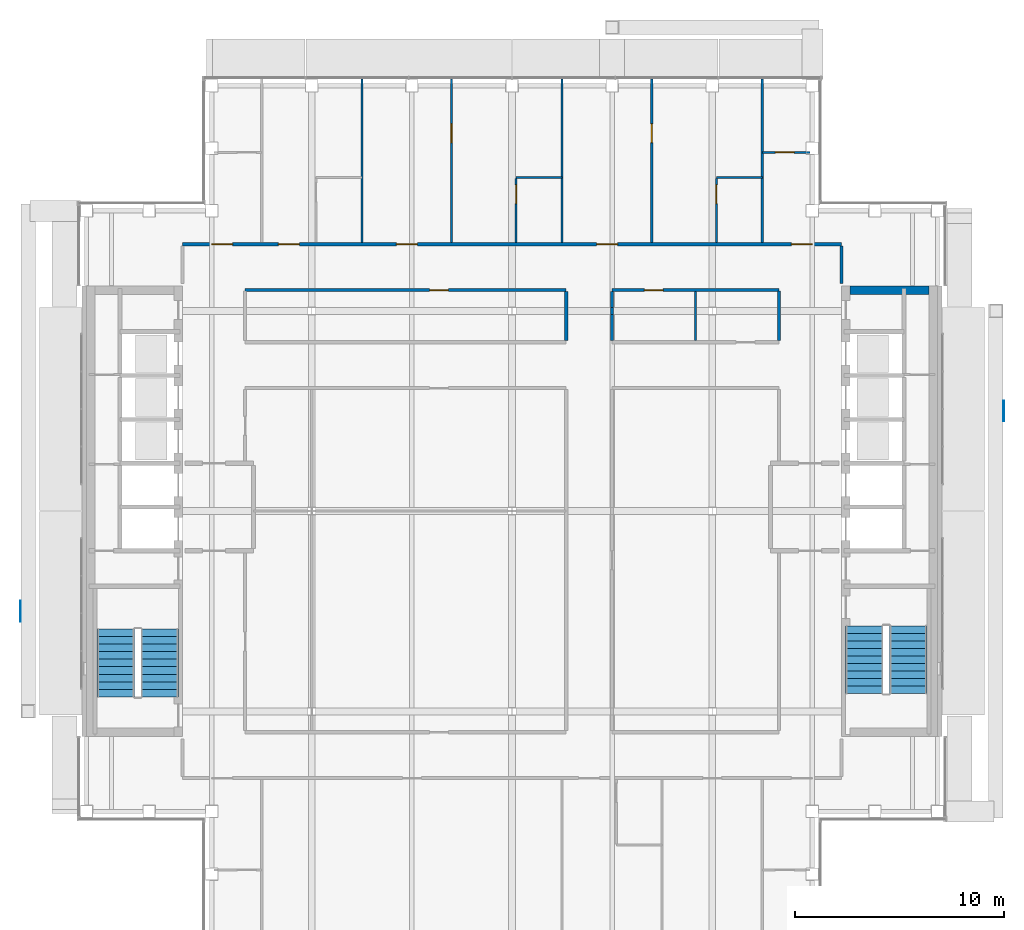
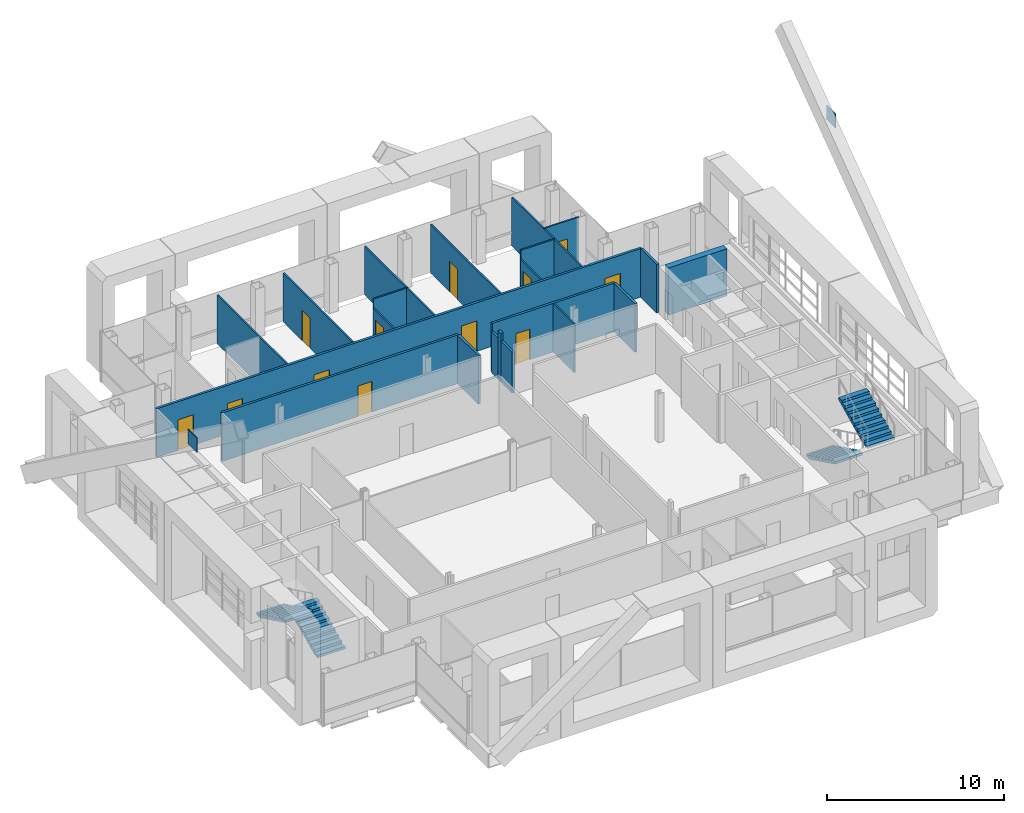
# One storey, part 14 of 23: 21 walls, 12 doors, 4 stair flights, 2 discrete accessories, 12 openings, 2 elements without a shape of their own.
"""IFC4 building model written with IfcOpenShell, lengths in metres."""

from ifc_helpers import new_model, si_unit, direction, frame, frame_2d, origin, origin_2d, place, context, subcontext, project, spatial, polyline, rectangle, outline, extrude, material, layer, layer_set, type_object, element, fill, aggregate, save


model = new_model("IFC4")

# Units and contexts
model_context = context("Model", 3, precision=1e-05, world=origin(), true_north=direction((0.0, 1.0)))
body_context = subcontext(model_context, "Body", "Model", "MODEL_VIEW")
ifc_project = project(units=[si_unit("LENGTHUNIT", "METRE"), si_unit("AREAUNIT", "SQUARE_METRE"), si_unit("VOLUMEUNIT", "CUBIC_METRE"), si_unit("PLANEANGLEUNIT", "RADIAN"), si_unit("MASSUNIT", "GRAM", prefix="KILO")], contexts=[model_context])

# Site, building, storey
site_placement = place(None, origin())
site = spatial("IfcSite", under=ifc_project, at=site_placement, CompositionType="ELEMENT")
building_placement = place(site_placement, origin())
building = spatial("IfcBuilding", under=site, at=building_placement, Name="Cobrizo Arcos Hotel Tower", CompositionType="ELEMENT")
storey_placement = place(building_placement, frame((0.0, 0.0, 255.0)))
storey = spatial("IfcBuildingStorey", under=building, at=storey_placement, Name="L67", CompositionType="ELEMENT", Elevation=255.0)

# Wall, opening, door
ifc_material_1 = material(Name="Gypsum board partition")
ifc_layer_1 = layer(ifc_material_1, 0.14990234375)
ifc_layer_set_1 = layer_set([ifc_layer_1], Name="Corridor wall EI 60 150")
wall_type_1 = type_object("IfcWallType", Name="Corridor wall EI 60 150", PredefinedType="PARTITIONING", material=ifc_layer_set_1)
wall_1_placement = place(storey_placement, frame((-12.800048828125, 10.60009765625, 0.0), z_axis=(0.0, 0.0, 1.0), x_axis=(1.0, 0.0, 0.0)))
wall_1 = element("IfcWall", 1, at=wall_1_placement, inside=storey, type_object=wall_type_1, Name="Partition 038", PredefinedType="PARTITIONING", context=body_context, shape_type="SweptSolid", body=[
    extrude(rectangle(XDim=15.400146484375, YDim=0.14990234375, at=frame_2d((7.7001953125, 0.0))), origin(), (0.0, 0.0, 1.0), 3.35009765625),
])
opening_1_placement = place(wall_1_placement, frame((8.85009765625, 0.0, 0.0)))
opening_1 = element("IfcOpeningElement", 2, at=opening_1_placement, cuts=wall_1, Name="Opening RD-14", PredefinedType="OPENING", context=body_context, shape_type="SweptSolid", body=[
    extrude(rectangle(XDim=0.89990234375, YDim=2.10009765625, at=frame_2d((0.449951171875, 1.050048828125))), frame((0.0, 0.0869140625, 0.0), z_axis=(0.0, -1.0, 0.0), x_axis=(1.0, 0.0, 0.0)), (0.0, 0.0, 1.0), 0.173828125),
])
ifc_material_2 = material(Name="Timber door leaf", Category="wood")
door_type_1 = type_object("IfcDoorType", Name="Room door FD30 900x2100", OperationType="SINGLE_SWING_LEFT", PredefinedType="DOOR", material=ifc_material_2)
door_1_placement = place(opening_1_placement, origin())
door_1 = element("IfcDoor", 3, at=door_1_placement, inside=storey, type_object=door_type_1, Name="Door RD-14", OperationType="SINGLE_SWING_LEFT", OverallHeight=2.10009765625, OverallWidth=0.89990234375, PredefinedType="DOOR", context=body_context, shape_type="SweptSolid", body=[
    extrude(rectangle(XDim=0.89990234375, YDim=2.10009765625, at=frame_2d((0.449951171875, 1.050048828125))), frame((0.0, 0.02490234375, 0.0), z_axis=(0.0, -1.0, 0.0), x_axis=(1.0, 0.0, 0.0)), (0.0, 0.0, 1.0), 0.050048828125),
])
fill(opening_1, door_1)

wall_2_placement = place(storey_placement, frame((4.800048828125, 10.60009765625, 0.0), z_axis=(0.0, 0.0, 1.0), x_axis=(1.0, 0.0, 0.0)))
wall_2 = element("IfcWall", 4, at=wall_2_placement, inside=storey, type_object=wall_type_1, Name="Partition 039", PredefinedType="PARTITIONING", context=body_context, shape_type="SweptSolid", body=[
    extrude(rectangle(XDim=8.0, YDim=0.14990234375, at=frame_2d((4.0, 0.0))), origin(), (0.0, 0.0, 1.0), 3.35009765625),
])
opening_2_placement = place(wall_2_placement, frame((1.550048828125, 0.0, 0.0)))
opening_2 = element("IfcOpeningElement", 5, at=opening_2_placement, cuts=wall_2, Name="Opening ED-10", PredefinedType="OPENING", context=body_context, shape_type="SweptSolid", body=[
    extrude(rectangle(XDim=0.89990234375, YDim=2.10009765625, at=frame_2d((0.449951171875, 1.050048828125))), frame((0.0, 0.0869140625, 0.0), z_axis=(0.0, -1.0, 0.0), x_axis=(1.0, 0.0, 0.0)), (0.0, 0.0, 1.0), 0.173828125),
])
door_type_2 = type_object("IfcDoorType", Name="En-suite door 900x2100", OperationType="SINGLE_SWING_LEFT", PredefinedType="DOOR", material=ifc_material_2)
door_2_placement = place(opening_2_placement, origin())
door_2 = element("IfcDoor", 6, at=door_2_placement, inside=storey, type_object=door_type_2, Name="Door ED-10", OperationType="SINGLE_SWING_LEFT", OverallHeight=2.10009765625, OverallWidth=0.89990234375, PredefinedType="DOOR", context=body_context, shape_type="SweptSolid", body=[
    extrude(rectangle(XDim=0.89990234375, YDim=2.10009765625, at=frame_2d((0.449951171875, 1.050048828125))), frame((0.0, 0.02490234375, 0.0), z_axis=(0.0, -1.0, 0.0), x_axis=(1.0, 0.0, 0.0)), (0.0, 0.0, 1.0), 0.050048828125),
])
fill(opening_2, door_2)

# Wall, openings, doors
wall_3_placement = place(storey_placement, frame((-15.800048828125, 12.800048828125, 0.0), z_axis=(0.0, 0.0, 1.0), x_axis=(1.0, 0.0, 0.0)))
wall_3 = element("IfcWall", 7, at=wall_3_placement, inside=storey, type_object=wall_type_1, Name="Partition 040", PredefinedType="PARTITIONING", context=body_context, shape_type="SweptSolid", body=[
    extrude(rectangle(XDim=31.60009765625, YDim=0.14990234375, at=frame_2d((15.800048828125, 0.0))), origin(), (0.0, 0.0, 1.0), 3.35009765625),
])
opening_3_placement = place(wall_3_placement, frame((4.60009765625, 0.0, 0.0)))
opening_3 = element("IfcOpeningElement", 8, at=opening_3_placement, cuts=wall_3, Name="Opening GD-01", PredefinedType="OPENING", context=body_context, shape_type="SweptSolid", body=[
    extrude(rectangle(XDim=1.0, YDim=2.10009765625, at=frame_2d((0.5, 1.050048828125))), frame((0.0, 0.0869140625, 0.0), z_axis=(0.0, -1.0, 0.0), x_axis=(1.0, 0.0, 0.0)), (0.0, 0.0, 1.0), 0.173828125),
])
opening_4_placement = place(wall_3_placement, frame((10.260009765625, 0.0, 0.0)))
opening_4 = element("IfcOpeningElement", 9, at=opening_4_placement, cuts=wall_3, Name="Opening GD-02", PredefinedType="OPENING", context=body_context, shape_type="SweptSolid", body=[
    extrude(rectangle(XDim=1.0, YDim=2.10009765625, at=frame_2d((0.5, 1.050048828125))), frame((0.0, 0.0869140625, 0.0), z_axis=(0.0, -1.0, 0.0), x_axis=(1.0, 0.0, 0.0)), (0.0, 0.0, 1.0), 0.173828125),
])
opening_5_placement = place(wall_3_placement, frame((19.860107421875, 0.0, 0.0)))
opening_5 = element("IfcOpeningElement", 10, at=opening_5_placement, cuts=wall_3, Name="Opening GD-03", PredefinedType="OPENING", context=body_context, shape_type="SweptSolid", body=[
    extrude(rectangle(XDim=1.0, YDim=2.10009765625, at=frame_2d((0.5, 1.050048828125))), frame((0.0, 0.0869140625, 0.0), z_axis=(0.0, -1.0, 0.0), x_axis=(1.0, 0.0, 0.0)), (0.0, 0.0, 1.0), 0.173828125),
])
opening_6_placement = place(wall_3_placement, frame((1.39990234375, 0.0, 0.0)))
opening_6 = element("IfcOpeningElement", 11, at=opening_6_placement, cuts=wall_3, Name="Opening GD-06", PredefinedType="OPENING", context=body_context, shape_type="SweptSolid", body=[
    extrude(rectangle(XDim=1.0, YDim=2.10009765625, at=frame_2d((0.5, 1.050048828125))), frame((0.0, 0.0869140625, 0.0), z_axis=(0.0, -1.0, 0.0), x_axis=(1.0, 0.0, 0.0)), (0.0, 0.0, 1.0), 0.173828125),
])
opening_7_placement = place(wall_3_placement, frame((29.199951171875, 0.0, 0.0)))
opening_7 = element("IfcOpeningElement", 12, at=opening_7_placement, cuts=wall_3, Name="Opening GD-08", PredefinedType="OPENING", context=body_context, shape_type="SweptSolid", body=[
    extrude(rectangle(XDim=1.0, YDim=2.10009765625, at=frame_2d((0.5, 1.050048828125))), frame((0.0, 0.0869140625, 0.0), z_axis=(0.0, -1.0, 0.0), x_axis=(1.0, 0.0, 0.0)), (0.0, 0.0, 1.0), 0.173828125),
])
door_type_3 = type_object("IfcDoorType", Name="Guest room door FD30S 1000x2100", OperationType="SINGLE_SWING_LEFT", PredefinedType="DOOR", material=ifc_material_2)
door_3_placement = place(opening_3_placement, origin())
door_3 = element("IfcDoor", 13, at=door_3_placement, inside=storey, type_object=door_type_3, Name="Door GD-01", OperationType="SINGLE_SWING_RIGHT", OverallHeight=2.10009765625, OverallWidth=1.0, PredefinedType="DOOR", context=body_context, shape_type="SweptSolid", body=[
    extrude(rectangle(XDim=1.0, YDim=2.10009765625, at=frame_2d((0.5, 1.050048828125))), frame((0.0, 0.02490234375, 0.0), z_axis=(0.0, -1.0, 0.0), x_axis=(1.0, 0.0, 0.0)), (0.0, 0.0, 1.0), 0.050048828125),
])
fill(opening_3, door_3)
door_4_placement = place(opening_4_placement, origin())
door_4 = element("IfcDoor", 14, at=door_4_placement, inside=storey, type_object=door_type_3, Name="Door GD-02", OperationType="SINGLE_SWING_RIGHT", OverallHeight=2.10009765625, OverallWidth=1.0, PredefinedType="DOOR", context=body_context, shape_type="SweptSolid", body=[
    extrude(rectangle(XDim=1.0, YDim=2.10009765625, at=frame_2d((0.5, 1.050048828125))), frame((0.0, 0.02490234375, 0.0), z_axis=(0.0, -1.0, 0.0), x_axis=(1.0, 0.0, 0.0)), (0.0, 0.0, 1.0), 0.050048828125),
])
fill(opening_4, door_4)
door_5_placement = place(opening_5_placement, origin())
door_5 = element("IfcDoor", 15, at=door_5_placement, inside=storey, type_object=door_type_3, Name="Door GD-03", OperationType="SINGLE_SWING_RIGHT", OverallHeight=2.10009765625, OverallWidth=1.0, PredefinedType="DOOR", context=body_context, shape_type="SweptSolid", body=[
    extrude(rectangle(XDim=1.0, YDim=2.10009765625, at=frame_2d((0.5, 1.050048828125))), frame((0.0, 0.02490234375, 0.0), z_axis=(0.0, -1.0, 0.0), x_axis=(1.0, 0.0, 0.0)), (0.0, 0.0, 1.0), 0.050048828125),
])
fill(opening_5, door_5)
door_6_placement = place(opening_6_placement, origin())
door_6 = element("IfcDoor", 16, at=door_6_placement, inside=storey, type_object=door_type_3, Name="Door GD-06", OperationType="SINGLE_SWING_RIGHT", OverallHeight=2.10009765625, OverallWidth=1.0, PredefinedType="DOOR", context=body_context, shape_type="SweptSolid", body=[
    extrude(rectangle(XDim=1.0, YDim=2.10009765625, at=frame_2d((0.5, 1.050048828125))), frame((0.0, 0.02490234375, 0.0), z_axis=(0.0, -1.0, 0.0), x_axis=(1.0, 0.0, 0.0)), (0.0, 0.0, 1.0), 0.050048828125),
])
fill(opening_6, door_6)
door_7_placement = place(opening_7_placement, origin())
door_7 = element("IfcDoor", 17, at=door_7_placement, inside=storey, type_object=door_type_3, Name="Door GD-08", OperationType="SINGLE_SWING_RIGHT", OverallHeight=2.10009765625, OverallWidth=1.0, PredefinedType="DOOR", context=body_context, shape_type="SweptSolid", body=[
    extrude(rectangle(XDim=1.0, YDim=2.10009765625, at=frame_2d((0.5, 1.050048828125))), frame((0.0, 0.02490234375, 0.0), z_axis=(0.0, -1.0, 0.0), x_axis=(1.0, 0.0, 0.0)), (0.0, 0.0, 1.0), 0.050048828125),
])
fill(opening_7, door_7)

# Walls
wall_4_placement = place(storey_placement, frame((2.60009765625, 8.175048828125, 0.0), z_axis=(0.0, 0.0, 1.0), x_axis=(0.0, 1.0, 0.0)))
element("IfcWall", 18, at=wall_4_placement, inside=storey, type_object=wall_type_1, Name="Partition 069", PredefinedType="PARTITIONING", context=body_context, shape_type="SweptSolid", body=[
    extrude(rectangle(XDim=2.349853515625, YDim=0.14990234375, at=frame_2d((1.1748046875, 0.0))), origin(), (0.0, 0.0, 1.0), 3.35009765625),
])
wall_5_placement = place(storey_placement, frame((4.800048828125, 8.175048828125, 0.0), z_axis=(0.0, 0.0, 1.0), x_axis=(0.0, 1.0, 0.0)))
element("IfcWall", 19, at=wall_5_placement, inside=storey, type_object=wall_type_1, Name="Partition 075", PredefinedType="PARTITIONING", context=body_context, shape_type="SweptSolid", body=[
    extrude(rectangle(XDim=1.260986328125, YDim=0.14990234375, at=frame_2d((0.63037109375, 0.0))), origin(), (0.0, 0.0, 1.0), 2.81689453125),
])
wall_6_placement = place(storey_placement, frame((4.800048828125, 9.43603515625, 0.0), z_axis=(0.0, 0.0, 1.0), x_axis=(0.0, 1.0, 0.0)))
element("IfcWall", 20, at=wall_6_placement, inside=storey, type_object=wall_type_1, Name="Partition 076", PredefinedType="PARTITIONING", context=body_context, shape_type="SweptSolid", body=[
    extrude(rectangle(XDim=0.327880859375, YDim=0.14990234375, at=frame_2d((0.1640625, 0.0))), origin(), (0.0, 0.0, 1.0), 3.35009765625),
])
wall_7_placement = place(storey_placement, frame((4.800048828125, 9.763916015625, 0.0), z_axis=(0.0, 0.0, 1.0), x_axis=(0.0, 1.0, 0.0)))
element("IfcWall", 21, at=wall_7_placement, inside=storey, type_object=wall_type_1, Name="Partition 077", PredefinedType="PARTITIONING", context=body_context, shape_type="SweptSolid", body=[
    extrude(rectangle(XDim=0.760986328125, YDim=0.14990234375, at=frame_2d((0.38037109375, 0.0))), origin(), (0.0, 0.0, 1.0), 2.81689453125),
])
wall_8_placement = place(storey_placement, frame((12.800048828125, 8.175048828125, 0.0), z_axis=(0.0, 0.0, 1.0), x_axis=(0.0, 1.0, 0.0)))
element("IfcWall", 22, at=wall_8_placement, inside=storey, type_object=wall_type_1, Name="Partition 088", PredefinedType="PARTITIONING", context=body_context, shape_type="SweptSolid", body=[
    extrude(rectangle(XDim=2.375, YDim=0.14990234375, at=frame_2d((1.1875, 0.0))), origin(), (0.0, 0.0, 1.0), 3.35009765625),
])
wall_9_placement = place(storey_placement, frame((15.800048828125, 10.919921875, 0.0), z_axis=(0.0, 0.0, 1.0), x_axis=(0.0, 1.0, 0.0)))
element("IfcWall", 23, at=wall_9_placement, inside=storey, type_object=wall_type_1, Name="Partition 090", PredefinedType="PARTITIONING", context=body_context, shape_type="SweptSolid", body=[
    extrude(rectangle(XDim=1.80517578125, YDim=0.14990234375, at=frame_2d((0.902587890625, 0.0))), origin(), (0.0, 0.0, 1.0), 3.35009765625),
])
ifc_layer_2 = layer(ifc_material_1, 0.10009765625)
ifc_layer_set_2 = layer_set([ifc_layer_2], Name="Partition EI 30 100")
wall_type_2 = type_object("IfcWallType", Name="Partition EI 30 100", PredefinedType="PARTITIONING", material=ifc_layer_set_2)
for number, where, z_axis, x_axis, name in (
    (24, (0.199951171875, 16.0, 0.0), (0.0, 0.0, 1.0), (1.0, 0.0, 0.0), "Partition 042"),
    (25, (9.800048828125, 16.0, 0.0), (0.0, 0.0, 1.0), (1.0, 0.0, 0.0), "Partition 043"),
):
    element("IfcWall", number, at=place(storey_placement, frame(where, z_axis=z_axis, x_axis=x_axis)), inside=storey, type_object=wall_type_2, Name=name, PredefinedType="PARTITIONING", context=body_context, shape_type="SweptSolid", body=[
        extrude(rectangle(XDim=2.199951171875, YDim=0.10009765625, at=frame_2d((1.10009765625, 0.0))), origin(), (0.0, 0.0, 1.0), 3.35009765625),
    ])

# Wall, opening, door
wall_10_placement = place(storey_placement, frame((12.0, 17.199951171875, 0.0), z_axis=(0.0, 0.0, 1.0), x_axis=(1.0, 0.0, 0.0)))
wall_10 = element("IfcWall", 26, at=wall_10_placement, inside=storey, type_object=wall_type_2, Name="Partition 045", PredefinedType="PARTITIONING", context=body_context, shape_type="SweptSolid", body=[
    extrude(rectangle(XDim=2.280029296875, YDim=0.10009765625, at=frame_2d((1.14013671875, 0.0))), origin(), (0.0, 0.0, 1.0), 3.35009765625),
])
opening_8_placement = place(wall_10_placement, frame((0.6298828125, 0.0, 0.0)))
opening_8 = element("IfcOpeningElement", 27, at=opening_8_placement, cuts=wall_10, Name="Opening ED-09", PredefinedType="OPENING", context=body_context, shape_type="SweptSolid", body=[
    extrude(rectangle(XDim=0.89990234375, YDim=2.10009765625, at=frame_2d((0.449951171875, 1.050048828125))), frame((0.0, 0.06201171875, 0.0), z_axis=(0.0, -1.0, 0.0), x_axis=(1.0, 0.0, 0.0)), (0.0, 0.0, 1.0), 0.1240234375),
])
door_8_placement = place(opening_8_placement, origin())
door_8 = element("IfcDoor", 28, at=door_8_placement, inside=storey, type_object=door_type_2, Name="Door ED-09", OperationType="SINGLE_SWING_LEFT", OverallHeight=2.10009765625, OverallWidth=0.89990234375, PredefinedType="DOOR", context=body_context, shape_type="SweptSolid", body=[
    extrude(rectangle(XDim=0.89990234375, YDim=2.10009765625, at=frame_2d((0.449951171875, 1.050048828125))), frame((0.0, 0.02490234375, 0.0), z_axis=(0.0, -1.0, 0.0), x_axis=(1.0, 0.0, 0.0)), (0.0, 0.0, 1.0), 0.050048828125),
])
fill(opening_8, door_8)

# Wall
wall_11_placement = place(storey_placement, frame((-7.199951171875, 12.875, 0.0), z_axis=(0.0, 0.0, 1.0), x_axis=(0.0, 1.0, 0.0)))
element("IfcWall", 29, at=wall_11_placement, inside=storey, type_object=wall_type_2, Name="Partition 063", PredefinedType="PARTITIONING", context=body_context, shape_type="SweptSolid", body=[
    extrude(rectangle(XDim=7.85498046875, YDim=0.10009765625, at=frame_2d((3.927490234375, 0.0))), origin(), (0.0, 0.0, 1.0), 3.35009765625),
])

# Wall, opening, door
wall_12_placement = place(storey_placement, frame((-2.89990234375, 12.875, 0.0), z_axis=(0.0, 0.0, 1.0), x_axis=(0.0, 1.0, 0.0)))
wall_12 = element("IfcWall", 30, at=wall_12_placement, inside=storey, type_object=wall_type_2, Name="Partition 064", PredefinedType="PARTITIONING", context=body_context, shape_type="SweptSolid", body=[
    extrude(rectangle(XDim=7.85498046875, YDim=0.10009765625, at=frame_2d((3.927490234375, 0.0))), origin(), (0.0, 0.0, 1.0), 3.35009765625),
])
opening_9_placement = place(wall_12_placement, frame((4.794921875, 0.0, 0.0)))
opening_9 = element("IfcOpeningElement", 31, at=opening_9_placement, cuts=wall_12, Name="Opening RD-08", PredefinedType="OPENING", context=body_context, shape_type="SweptSolid", body=[
    extrude(rectangle(XDim=0.89990234375, YDim=2.10009765625, at=frame_2d((0.449951171875, 1.050048828125))), frame((0.0, 0.06201171875, 0.0), z_axis=(0.0, -1.0, 0.0), x_axis=(1.0, 0.0, 0.0)), (0.0, 0.0, 1.0), 0.1240234375),
])
door_9_placement = place(opening_9_placement, origin())
door_9 = element("IfcDoor", 32, at=door_9_placement, inside=storey, type_object=door_type_1, Name="Door RD-08", OperationType="SINGLE_SWING_RIGHT", OverallHeight=2.10009765625, OverallWidth=0.89990234375, PredefinedType="DOOR", context=body_context, shape_type="SweptSolid", body=[
    extrude(rectangle(XDim=0.89990234375, YDim=2.10009765625, at=frame_2d((0.449951171875, 1.050048828125))), frame((0.0, 0.02490234375, 0.0), z_axis=(0.0, -1.0, 0.0), x_axis=(1.0, 0.0, 0.0)), (0.0, 0.0, 1.0), 0.050048828125),
])
fill(opening_9, door_9)

wall_13_placement = place(storey_placement, frame((0.199951171875, 12.875, 0.0), z_axis=(0.0, 0.0, 1.0), x_axis=(0.0, 1.0, 0.0)))
wall_13 = element("IfcWall", 33, at=wall_13_placement, inside=storey, type_object=wall_type_2, Name="Partition 065", PredefinedType="PARTITIONING", context=body_context, shape_type="SweptSolid", body=[
    extrude(rectangle(XDim=3.074951171875, YDim=0.10009765625, at=frame_2d((1.53759765625, 0.0))), origin(), (0.0, 0.0, 1.0), 2.72802734375),
])
opening_10_placement = place(wall_13_placement, frame((1.875, 0.0, 0.0)))
opening_10 = element("IfcOpeningElement", 34, at=opening_10_placement, cuts=wall_13, Name="Opening ED-03", PredefinedType="OPENING", context=body_context, shape_type="SweptSolid", body=[
    extrude(rectangle(XDim=0.89990234375, YDim=2.10009765625, at=frame_2d((0.449951171875, 1.050048828125))), frame((0.0, 0.06201171875, 0.0), z_axis=(0.0, -1.0, 0.0), x_axis=(1.0, 0.0, 0.0)), (0.0, 0.0, 1.0), 0.1240234375),
])
door_10_placement = place(opening_10_placement, origin())
door_10 = element("IfcDoor", 35, at=door_10_placement, inside=storey, type_object=door_type_2, Name="Door ED-03", OperationType="SINGLE_SWING_RIGHT", OverallHeight=2.10009765625, OverallWidth=0.89990234375, PredefinedType="DOOR", context=body_context, shape_type="SweptSolid", body=[
    extrude(rectangle(XDim=0.89990234375, YDim=2.10009765625, at=frame_2d((0.449951171875, 1.050048828125))), frame((0.0, 0.02490234375, 0.0), z_axis=(0.0, -1.0, 0.0), x_axis=(1.0, 0.0, 0.0)), (0.0, 0.0, 1.0), 0.050048828125),
])
fill(opening_10, door_10)

# Wall
wall_14_placement = place(storey_placement, frame((2.39990234375, 12.875, 0.0), z_axis=(0.0, 0.0, 1.0), x_axis=(0.0, 1.0, 0.0)))
element("IfcWall", 36, at=wall_14_placement, inside=storey, type_object=wall_type_2, Name="Partition 067", PredefinedType="PARTITIONING", context=body_context, shape_type="SweptSolid", body=[
    extrude(rectangle(XDim=7.85498046875, YDim=0.10009765625, at=frame_2d((3.927490234375, 0.0))), origin(), (0.0, 0.0, 1.0), 3.35009765625),
])

# Wall, opening, door
wall_15_placement = place(storey_placement, frame((6.699951171875, 12.875, 0.0), z_axis=(0.0, 0.0, 1.0), x_axis=(0.0, 1.0, 0.0)))
wall_15 = element("IfcWall", 37, at=wall_15_placement, inside=storey, type_object=wall_type_2, Name="Partition 079", PredefinedType="PARTITIONING", context=body_context, shape_type="SweptSolid", body=[
    extrude(rectangle(XDim=7.85498046875, YDim=0.10009765625, at=frame_2d((3.927490234375, 0.0))), origin(), (0.0, 0.0, 1.0), 3.35009765625),
])
opening_11_placement = place(wall_15_placement, frame((4.794921875, 0.0, 0.0)))
opening_11 = element("IfcOpeningElement", 38, at=opening_11_placement, cuts=wall_15, Name="Opening RD-09", PredefinedType="OPENING", context=body_context, shape_type="SweptSolid", body=[
    extrude(rectangle(XDim=0.89990234375, YDim=2.10009765625, at=frame_2d((0.449951171875, 1.050048828125))), frame((0.0, 0.06201171875, 0.0), z_axis=(0.0, -1.0, 0.0), x_axis=(1.0, 0.0, 0.0)), (0.0, 0.0, 1.0), 0.1240234375),
])
door_11_placement = place(opening_11_placement, origin())
door_11 = element("IfcDoor", 39, at=door_11_placement, inside=storey, type_object=door_type_1, Name="Door RD-09", OperationType="SINGLE_SWING_RIGHT", OverallHeight=2.10009765625, OverallWidth=0.89990234375, PredefinedType="DOOR", context=body_context, shape_type="SweptSolid", body=[
    extrude(rectangle(XDim=0.89990234375, YDim=2.10009765625, at=frame_2d((0.449951171875, 1.050048828125))), frame((0.0, 0.02490234375, 0.0), z_axis=(0.0, -1.0, 0.0), x_axis=(1.0, 0.0, 0.0)), (0.0, 0.0, 1.0), 0.050048828125),
])
fill(opening_11, door_11)

# Wall
wall_16_placement = place(storey_placement, frame((8.800048828125, 8.175048828125, 0.0), z_axis=(0.0, 0.0, 1.0), x_axis=(0.0, 1.0, 0.0)))
element("IfcWall", 40, at=wall_16_placement, inside=storey, type_object=wall_type_2, Name="Partition 081", PredefinedType="PARTITIONING", context=body_context, shape_type="SweptSolid", body=[
    extrude(rectangle(XDim=2.349853515625, YDim=0.10009765625, at=frame_2d((1.1748046875, 0.0))), origin(), (0.0, 0.0, 1.0), 3.35009765625),
])

# Wall, opening, door
wall_17_placement = place(storey_placement, frame((9.800048828125, 12.875, 0.0), z_axis=(0.0, 0.0, 1.0), x_axis=(0.0, 1.0, 0.0)))
wall_17 = element("IfcWall", 41, at=wall_17_placement, inside=storey, type_object=wall_type_2, Name="Partition 082", PredefinedType="PARTITIONING", context=body_context, shape_type="SweptSolid", body=[
    extrude(rectangle(XDim=3.074951171875, YDim=0.10009765625, at=frame_2d((1.53759765625, 0.0))), origin(), (0.0, 0.0, 1.0), 2.72802734375),
])
opening_12_placement = place(wall_17_placement, frame((1.875, 0.0, 0.0)))
opening_12 = element("IfcOpeningElement", 42, at=opening_12_placement, cuts=wall_17, Name="Opening ED-04", PredefinedType="OPENING", context=body_context, shape_type="SweptSolid", body=[
    extrude(rectangle(XDim=0.89990234375, YDim=2.10009765625, at=frame_2d((0.449951171875, 1.050048828125))), frame((0.0, 0.06201171875, 0.0), z_axis=(0.0, -1.0, 0.0), x_axis=(1.0, 0.0, 0.0)), (0.0, 0.0, 1.0), 0.1240234375),
])
door_12_placement = place(opening_12_placement, origin())
door_12 = element("IfcDoor", 43, at=door_12_placement, inside=storey, type_object=door_type_2, Name="Door ED-04", OperationType="SINGLE_SWING_LEFT", OverallHeight=2.10009765625, OverallWidth=0.89990234375, PredefinedType="DOOR", context=body_context, shape_type="SweptSolid", body=[
    extrude(rectangle(XDim=0.89990234375, YDim=2.10009765625, at=frame_2d((0.449951171875, 1.050048828125))), frame((0.0, 0.02490234375, 0.0), z_axis=(0.0, -1.0, 0.0), x_axis=(1.0, 0.0, 0.0)), (0.0, 0.0, 1.0), 0.050048828125),
])
fill(opening_12, door_12)

# Walls
wall_18_placement = place(storey_placement, frame((12.0, 12.875, 0.0), z_axis=(0.0, 0.0, 1.0), x_axis=(0.0, 1.0, 0.0)))
element("IfcWall", 44, at=wall_18_placement, inside=storey, type_object=wall_type_2, Name="Partition 084", PredefinedType="PARTITIONING", context=body_context, shape_type="SweptSolid", body=[
    extrude(rectangle(XDim=7.85498046875, YDim=0.10009765625, at=frame_2d((3.927490234375, 0.0))), origin(), (0.0, 0.0, 1.0), 3.35009765625),
])
ifc_material_3 = material(Name="Concrete f'c 40 MPa", Category="concrete")
ifc_layer_3 = layer(ifc_material_3, 0.39990234375)
ifc_layer_set_3 = layer_set([ifc_layer_3], Name="RC core wall 400 f'c 40")
wall_type_3 = type_object("IfcWallType", Name="RC core wall 400 f'c 40", PredefinedType="SHEAR", material=ifc_layer_set_3)
wall_19_placement = place(storey_placement, frame((16.199951171875, 10.60009765625, 0.0), z_axis=(0.0, 0.0, 1.0), x_axis=(1.0, 0.0, 0.0)))
element("IfcWall", 45, at=wall_19_placement, inside=storey, type_object=wall_type_3, Name="Core wall CW4, east core, north end, L67", PredefinedType="SHEAR", context=body_context, shape_type="SweptSolid", body=[
    extrude(rectangle(XDim=3.800048828125, YDim=0.39990234375, at=frame_2d((1.89990234375, 0.0))), origin(), (0.0, 0.0, 1.0), 3.25),
])

# Stair, stair flights
stair_type = type_object("IfcStairType", Name="Exit stair", PredefinedType="HALF_TURN_STAIR", material=ifc_material_3)
stair_1_placement = place(storey_placement, origin())
stair_1 = element("IfcStair", 46, at=stair_1_placement, inside=storey, type_object=stair_type, Name="L67 Exit stair ST-W", PredefinedType="HALF_TURN_STAIR")
stair_flight_type = type_object("IfcStairFlightType", Name="Exit stair flight", PredefinedType="STRAIGHT", material=ifc_material_3)
stair_flight_1_placement = place(storey_placement, frame((-16.89990234375, -8.89990234375, 0.0), z_axis=(0.0, 0.0, 1.0), x_axis=(0.0, 1.0, 0.0)))
stair_flight_1 = element("IfcStairFlight", 47, at=stair_flight_1_placement, type_object=stair_flight_type, Name="ST-W flight 1", NumberOfRisers=10, NumberOfTreads=9, PredefinedType="STRAIGHT", RiserHeight=0.175, TreadLength=0.36, context=body_context, shape_type="SweptSolid", body=[
    extrude(outline(polyline([(0.0, 0.0), (0.0, 0.175048828125), (0.360107421875, 0.175048828125), (0.360107421875, 0.35009765625), (0.719970703125, 0.35009765625), (0.719970703125, 0.52490234375), (1.080078125, 0.52490234375), (1.080078125, 0.699951171875), (1.43994140625, 0.699951171875), (1.43994140625, 0.875), (1.800048828125, 0.875), (1.800048828125, 1.050048828125), (2.159912109375, 1.050048828125), (2.159912109375, 1.22509765625), (2.52001953125, 1.22509765625), (2.52001953125, 1.39990234375), (2.8798828125, 1.39990234375), (2.8798828125, 1.574951171875), (3.239990234375, 1.574951171875), (3.239990234375, 1.75), (3.239990234375, 1.408203125), (0.3427734375, 0.0), (0.0, 0.0)])), frame((0.0, 0.89990234375, 0.0), z_axis=(0.0, -1.0, 0.0), x_axis=(1.0, 0.0, 0.0)), (0.0, 0.0, 1.0), 1.800048828125),
])
stair_flight_2_placement = place(storey_placement, frame((-19.0, -5.659912109375, 1.75), z_axis=(0.0, 0.0, 1.0), x_axis=(0.0, -1.0, 0.0)))
stair_flight_2 = element("IfcStairFlight", 48, at=stair_flight_2_placement, type_object=stair_flight_type, Name="ST-W flight 2", NumberOfRisers=10, NumberOfTreads=9, PredefinedType="STRAIGHT", RiserHeight=0.175, TreadLength=0.36, context=body_context, shape_type="SweptSolid", body=[
    extrude(outline(polyline([(0.0, 0.0), (0.0, 0.175048828125), (0.360107421875, 0.175048828125), (0.360107421875, 0.35009765625), (0.719970703125, 0.35009765625), (0.719970703125, 0.52490234375), (1.080078125, 0.52490234375), (1.080078125, 0.699951171875), (1.43994140625, 0.699951171875), (1.43994140625, 0.875), (1.800048828125, 0.875), (1.800048828125, 1.050048828125), (2.159912109375, 1.050048828125), (2.159912109375, 1.22509765625), (2.52001953125, 1.22509765625), (2.52001953125, 1.39990234375), (2.8798828125, 1.39990234375), (2.8798828125, 1.574951171875), (3.239990234375, 1.574951171875), (3.239990234375, 1.75), (3.239990234375, 1.408203125), (0.3427734375, 0.0), (0.0, 0.0)])), frame((0.0, 0.89990234375, 0.0), z_axis=(0.0, -1.0, 0.0), x_axis=(1.0, 0.0, 0.0)), (0.0, 0.0, 1.0), 1.800048828125),
])
aggregate(stair_1, [stair_flight_1, stair_flight_2])

stair_2_placement = place(storey_placement, origin())
stair_2 = element("IfcStair", 49, at=stair_2_placement, inside=storey, type_object=stair_type, Name="L67 Exit stair ST-E", PredefinedType="HALF_TURN_STAIR")
stair_flight_3_placement = place(storey_placement, frame((16.89990234375, -5.5, 0.0), z_axis=(0.0, 0.0, 1.0), x_axis=(0.0, -1.0, 0.0)))
stair_flight_3 = element("IfcStairFlight", 50, at=stair_flight_3_placement, type_object=stair_flight_type, Name="ST-E flight 1", NumberOfRisers=10, NumberOfTreads=9, PredefinedType="STRAIGHT", RiserHeight=0.175, TreadLength=0.36, context=body_context, shape_type="SweptSolid", body=[
    extrude(outline(polyline([(0.0, 0.0), (0.0, 0.175048828125), (0.360107421875, 0.175048828125), (0.360107421875, 0.35009765625), (0.719970703125, 0.35009765625), (0.719970703125, 0.52490234375), (1.080078125, 0.52490234375), (1.080078125, 0.699951171875), (1.43994140625, 0.699951171875), (1.43994140625, 0.875), (1.800048828125, 0.875), (1.800048828125, 1.050048828125), (2.159912109375, 1.050048828125), (2.159912109375, 1.22509765625), (2.52001953125, 1.22509765625), (2.52001953125, 1.39990234375), (2.8798828125, 1.39990234375), (2.8798828125, 1.574951171875), (3.239990234375, 1.574951171875), (3.239990234375, 1.75), (3.239990234375, 1.408203125), (0.3427734375, 0.0), (0.0, 0.0)])), frame((0.0, 0.89990234375, 0.0), z_axis=(0.0, -1.0, 0.0), x_axis=(1.0, 0.0, 0.0)), (0.0, 0.0, 1.0), 1.800048828125),
])
stair_flight_4_placement = place(storey_placement, frame((19.0, -8.739990234375, 1.75), z_axis=(0.0, 0.0, 1.0), x_axis=(0.0, 1.0, 0.0)))
stair_flight_4 = element("IfcStairFlight", 51, at=stair_flight_4_placement, type_object=stair_flight_type, Name="ST-E flight 2", NumberOfRisers=10, NumberOfTreads=9, PredefinedType="STRAIGHT", RiserHeight=0.175, TreadLength=0.36, context=body_context, shape_type="SweptSolid", body=[
    extrude(outline(polyline([(0.0, 0.0), (0.0, 0.175048828125), (0.360107421875, 0.175048828125), (0.360107421875, 0.35009765625), (0.719970703125, 0.35009765625), (0.719970703125, 0.52490234375), (1.080078125, 0.52490234375), (1.080078125, 0.699951171875), (1.43994140625, 0.699951171875), (1.43994140625, 0.875), (1.800048828125, 0.875), (1.800048828125, 1.050048828125), (2.159912109375, 1.050048828125), (2.159912109375, 1.22509765625), (2.52001953125, 1.22509765625), (2.52001953125, 1.39990234375), (2.8798828125, 1.39990234375), (2.8798828125, 1.574951171875), (3.239990234375, 1.574951171875), (3.239990234375, 1.75), (3.239990234375, 1.408203125), (0.3427734375, 0.0), (0.0, 0.0)])), frame((0.0, 0.89990234375, 0.0), z_axis=(0.0, -1.0, 0.0), x_axis=(1.0, 0.0, 0.0)), (0.0, 0.0, 1.0), 1.800048828125),
])
aggregate(stair_2, [stair_flight_3, stair_flight_4])

# Discrete accessories
ifc_material_4 = material(Name="Steel ASTM A572 Grade 50", Category="steel")
discrete_accessory_type = type_object("IfcDiscreteAccessoryType", Name="GP-1 gusset plate 1000x1000x40", PredefinedType="BRACKET", material=ifc_material_4)
for number, where, z_axis, x_axis, name in (
    (52, (23.570068359375, 4.800048828125, 14.0), (0.0, 0.0, 1.0), (1.0, 0.0, 0.0), "Gusset plate br-Z5-E-02"),
    (53, (-23.570068359375, -4.800048828125, 14.0), (0.0, 0.0, 1.0), (1.0, 0.0, 0.0), "Gusset plate br-Z5-W-02"),
):
    element("IfcDiscreteAccessory", number, at=place(storey_placement, frame(where, z_axis=z_axis, x_axis=x_axis)), inside=storey, type_object=discrete_accessory_type, Name=name, PredefinedType="BRACKET", context=body_context, shape_type="SweptSolid", body=[
        extrude(rectangle(XDim=0.0400390625, YDim=1.0, at=origin_2d()), origin(), (0.0, 0.0, 1.0), 1.0),
    ])

save(model, "model.ifc")
